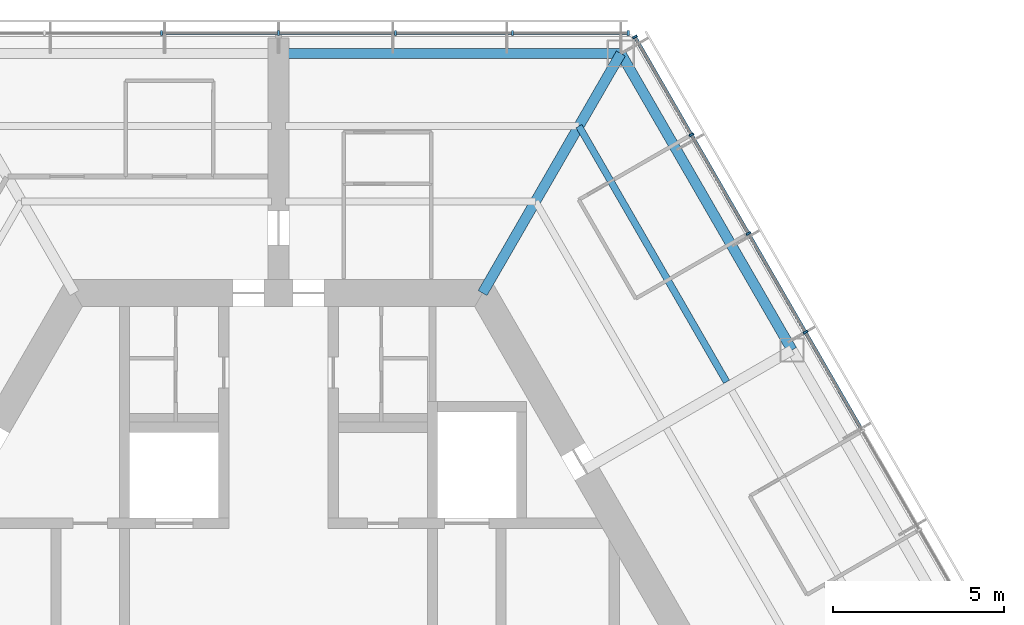
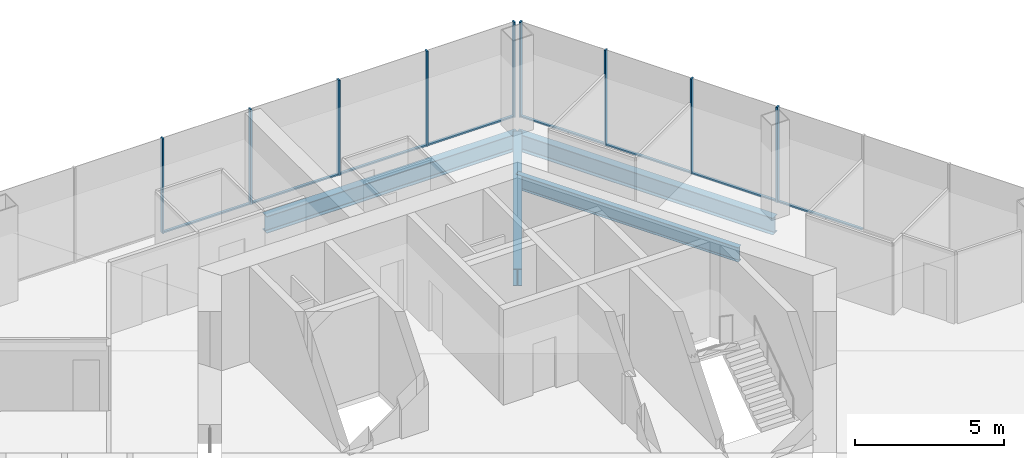
# One storey, part 7 of 16: 17 members, 4 beams, 2 elements without a shape of their own.
"""IFC4 building model written with IfcOpenShell, lengths in metres."""

from ifc_helpers import new_model, si_unit, direction, frame, origin, origin_2d, place, context, subcontext, project, spatial, rectangle, i_section, extrude, material, material_profile, profile_set, type_object, element, aggregate, save


model = new_model("IFC4")

# Units and contexts
model_context = context("Model", 3, precision=1e-05, world=origin(), true_north=direction((0.0, 1.0)))
body_context = subcontext(model_context, "Body", "Model", "MODEL_VIEW")
ifc_project = project(units=[si_unit("LENGTHUNIT", "METRE"), si_unit("AREAUNIT", "SQUARE_METRE"), si_unit("VOLUMEUNIT", "CUBIC_METRE"), si_unit("PLANEANGLEUNIT", "RADIAN"), si_unit("MASSUNIT", "GRAM", prefix="KILO")], contexts=[model_context])

# Site, building, storey
site_placement = place(None, origin())
site = spatial("IfcSite", under=ifc_project, at=site_placement, CompositionType="ELEMENT")
building_placement = place(site_placement, origin())
building = spatial("IfcBuilding", under=site, at=building_placement, Name="Kasaneha Research Tower", CompositionType="ELEMENT")
storey_placement = place(building_placement, frame((0.0, 0.0, 251.800048828125)))
storey = spatial("IfcBuildingStorey", under=building, at=storey_placement, Name="L63", CompositionType="ELEMENT", Elevation=251.800048828125)

# Beam
ifc_material_1 = material(Name="Steel SN490B", Category="steel")
ifc_material_profile_1 = material_profile(ifc_material_1, i_section(OverallWidth=0.199951171875, OverallDepth=0.60009765625, WebThickness=0.010986328125, FlangeThickness=0.01708984375, FilletRadius=0.012939453125, at=origin_2d()), Name="H-600x200x11x17")
ifc_profile_set_1 = profile_set([ifc_material_profile_1], Name="Steel SN490B")
beam_type_1 = type_object("IfcBeamType", Name="B1-3 secondary beam H-600x200x11x17", PredefinedType="JOIST", material=ifc_profile_set_1)
beam_1_placement = place(storey_placement, frame((8.775634765625, 15.199951171875, -0.449951171875), z_axis=(0.500017275495, -0.866015429543, 0.0), x_axis=(0.866015429543, 0.500017275495, 0.0)))
element("IfcBeam", 1, at=beam_1_placement, inside=storey, type_object=beam_type_1, Name="Secondary beam RS030R2 L63", PredefinedType="JOIST", context=body_context, shape_type="SweptSolid", body=[
    extrude(i_section(OverallWidth=0.199951171875, OverallDepth=0.60009765625, WebThickness=0.010986328125, FlangeThickness=0.01708984375, FilletRadius=0.012939453125, at=origin_2d()), origin(), (0.0, 0.0, 1.0), 8.625732421875),
])

# Curtain wall, members
ifc_material_2 = material(Name="Glass and aluminium", Category="aluminium")
curtain_wall_type = type_object("IfcCurtainWallType", Name="High-rise office curtain wall", PredefinedType="USERDEFINED", material=ifc_material_2)
curtain_wall_1_placement = place(storey_placement, origin())
curtain_wall_1 = element("IfcCurtainWall", 2, at=curtain_wall_1_placement, inside=storey, type_object=curtain_wall_type, Name="CW-O3 L63 run 01a", ObjectType="UNITISED CURTAIN WALL", PredefinedType="USERDEFINED")
ifc_material_3 = material(Name="Aluminium 6063-T6", Category="aluminium")
ifc_material_profile_2 = material_profile(ifc_material_3, rectangle(XDim=0.06005859375, YDim=0.139892578125, at=origin_2d()), Name="CW-O3 mullion 60x140")
ifc_profile_set_2 = profile_set([ifc_material_profile_2], Name="Aluminium 6063-T6")
member_type_1 = type_object("IfcMemberType", Name="CW-O3 mullion", PredefinedType="MULLION", material=ifc_profile_set_2)
member_1_placement = place(storey_placement, frame((15.392822265625, 9.179931640625, 0.0), z_axis=(0.0, 0.0, 1.0), x_axis=(-0.499999979232, 0.866025415775, 0.0)))
member_1 = element("IfcMember", 3, at=member_1_placement, type_object=member_type_1, Name="CW-O3 mullion 4", PredefinedType="MULLION", context=body_context, shape_type="SweptSolid", body=[
    extrude(rectangle(XDim=0.06005859375, YDim=0.139892578125, at=origin_2d()), origin(), (0.0, 0.0, 1.0), 3.89990234375),
])
member_2_placement = place(storey_placement, frame((13.727294921875, 12.064453125, 0.0), z_axis=(0.0, 0.0, 1.0), x_axis=(-0.499999979232, 0.866025415775, 0.0)))
member_2 = element("IfcMember", 4, at=member_2_placement, type_object=member_type_1, Name="CW-O3 mullion 5", PredefinedType="MULLION", context=body_context, shape_type="SweptSolid", body=[
    extrude(rectangle(XDim=0.06005859375, YDim=0.139892578125, at=origin_2d()), origin(), (0.0, 0.0, 1.0), 3.89990234375),
])
member_3_placement = place(storey_placement, frame((12.061767578125, 14.94921875, 0.0), z_axis=(0.0, 0.0, 1.0), x_axis=(-0.499999979232, 0.866025415775, 0.0)))
member_3 = element("IfcMember", 5, at=member_3_placement, type_object=member_type_1, Name="CW-O3 mullion 6", PredefinedType="MULLION", context=body_context, shape_type="SweptSolid", body=[
    extrude(rectangle(XDim=0.06005859375, YDim=0.139892578125, at=origin_2d()), origin(), (0.0, 0.0, 1.0), 3.89990234375),
])
member_4_placement = place(storey_placement, frame((10.411376953125, 17.807861328125, 0.0), z_axis=(0.0, 0.0, 1.0), x_axis=(-0.499999979232, 0.866025415775, 0.0)))
member_4 = element("IfcMember", 6, at=member_4_placement, type_object=member_type_1, Name="CW-O3 mullion 7", PredefinedType="MULLION", context=body_context, shape_type="SweptSolid", body=[
    extrude(rectangle(XDim=0.06005859375, YDim=0.139892578125, at=origin_2d()), origin(), (0.0, 0.0, 1.0), 3.89990234375),
])

curtain_wall_2_placement = place(storey_placement, origin())
curtain_wall_2 = element("IfcCurtainWall", 7, at=curtain_wall_2_placement, inside=storey, type_object=curtain_wall_type, Name="CW-O3 L63 run 02a", ObjectType="UNITISED CURTAIN WALL", PredefinedType="USERDEFINED")
member_5_placement = place(storey_placement, frame((10.21630859375, 17.92041015625, 0.0), z_axis=(0.0, 0.0, 1.0), x_axis=(-1.0, 0.0, 0.0)))
member_5 = element("IfcMember", 8, at=member_5_placement, type_object=member_type_1, Name="CW-O3 mullion 1", PredefinedType="MULLION", context=body_context, shape_type="SweptSolid", body=[
    extrude(rectangle(XDim=0.06005859375, YDim=0.139892578125, at=origin_2d()), origin(), (0.0, 0.0, 1.0), 3.89990234375),
])
member_6_placement = place(storey_placement, frame((6.8310546875, 17.92041015625, 0.0), z_axis=(0.0, 0.0, 1.0), x_axis=(-1.0, 0.0, 0.0)))
member_6 = element("IfcMember", 9, at=member_6_placement, type_object=member_type_1, Name="CW-O3 mullion 2", PredefinedType="MULLION", context=body_context, shape_type="SweptSolid", body=[
    extrude(rectangle(XDim=0.06005859375, YDim=0.139892578125, at=origin_2d()), origin(), (0.0, 0.0, 1.0), 3.89990234375),
])
member_7_placement = place(storey_placement, frame((3.41552734375, 17.92041015625, 0.0), z_axis=(0.0, 0.0, 1.0), x_axis=(-1.0, 0.0, 0.0)))
member_7 = element("IfcMember", 10, at=member_7_placement, type_object=member_type_1, Name="CW-O3 mullion 3", PredefinedType="MULLION", context=body_context, shape_type="SweptSolid", body=[
    extrude(rectangle(XDim=0.06005859375, YDim=0.139892578125, at=origin_2d()), origin(), (0.0, 0.0, 1.0), 3.89990234375),
])
member_8_placement = place(storey_placement, frame((0.0, 17.92041015625, 0.0), z_axis=(0.0, 0.0, 1.0), x_axis=(-1.0, 0.0, 0.0)))
member_8 = element("IfcMember", 11, at=member_8_placement, type_object=member_type_1, Name="CW-O3 mullion 4", PredefinedType="MULLION", context=body_context, shape_type="SweptSolid", body=[
    extrude(rectangle(XDim=0.06005859375, YDim=0.139892578125, at=origin_2d()), origin(), (0.0, 0.0, 1.0), 3.89990234375),
])
member_9_placement = place(storey_placement, frame((-3.41552734375, 17.92041015625, 0.0), z_axis=(0.0, 0.0, 1.0), x_axis=(-1.0, 0.0, 0.0)))
member_9 = element("IfcMember", 12, at=member_9_placement, type_object=member_type_1, Name="CW-O3 mullion 5", PredefinedType="MULLION", context=body_context, shape_type="SweptSolid", body=[
    extrude(rectangle(XDim=0.06005859375, YDim=0.139892578125, at=origin_2d()), origin(), (0.0, 0.0, 1.0), 3.89990234375),
])

# Member
ifc_material_4 = material(Name="Aluminium 6063-T6", Category="aluminium")
ifc_material_profile_3 = material_profile(ifc_material_4, rectangle(XDim=0.10009765625, YDim=0.06005859375, at=origin_2d()), Name="CW-O3 transom 100x60")
ifc_profile_set_3 = profile_set([ifc_material_profile_3], Name="Aluminium 6063-T6")
member_type_2 = type_object("IfcMemberType", Name="CW-O3 transom", PredefinedType="USERDEFINED", material=ifc_profile_set_3)
member_10_placement = place(storey_placement, frame((17.043212890625, 6.3212890625, 0.030029296875), z_axis=(-0.50003259116, 0.866006586452, 0.0), x_axis=(-0.866006586452, -0.50003259116, 0.0)))
member_10 = element("IfcMember", 13, at=member_10_placement, type_object=member_type_2, Name="CW-O3 transom 3", ObjectType="TRANSOM", PredefinedType="USERDEFINED", context=body_context, shape_type="SweptSolid", body=[
    extrude(rectangle(XDim=0.10009765625, YDim=0.06005859375, at=origin_2d()), origin(), (0.0, 0.0, 1.0), 3.270751953125),
])

member_11_placement = place(storey_placement, frame((15.3779296875, 9.205810546875, 0.030029296875), z_axis=(-0.500000270186, 0.866025247793, 0.0), x_axis=(-0.866025247793, -0.500000270186, 0.0)))
member_11 = element("IfcMember", 14, at=member_11_placement, type_object=member_type_2, Name="CW-O3 transom 4", ObjectType="TRANSOM", PredefinedType="USERDEFINED", context=body_context, shape_type="SweptSolid", body=[
    extrude(rectangle(XDim=0.10009765625, YDim=0.06005859375, at=origin_2d()), origin(), (0.0, 0.0, 1.0), 3.27099609375),
])

member_12_placement = place(storey_placement, frame((13.71240234375, 12.090576171875, 0.030029296875), z_axis=(-0.500000270186, 0.866025247793, 0.0), x_axis=(-0.866025247793, -0.500000270186, 0.0)))
member_12 = element("IfcMember", 15, at=member_12_placement, type_object=member_type_2, Name="CW-O3 transom 5", ObjectType="TRANSOM", PredefinedType="USERDEFINED", context=body_context, shape_type="SweptSolid", body=[
    extrude(rectangle(XDim=0.10009765625, YDim=0.06005859375, at=origin_2d()), origin(), (0.0, 0.0, 1.0), 3.27099609375),
])

member_13_placement = place(storey_placement, frame((12.046875, 14.97509765625, 0.030029296875), z_axis=(-0.499955025697, 0.866051368154, 0.0), x_axis=(-0.866051368154, -0.499955025697, 0.0)))
member_13 = element("IfcMember", 16, at=member_13_placement, type_object=member_type_2, Name="CW-O3 transom 6", ObjectType="TRANSOM", PredefinedType="USERDEFINED", context=body_context, shape_type="SweptSolid", body=[
    extrude(rectangle(XDim=0.10009765625, YDim=0.06005859375, at=origin_2d()), origin(), (0.0, 0.0, 1.0), 3.240966796875),
])

aggregate(curtain_wall_1, [member_1, member_2, member_3, member_4, member_10, member_11, member_12, member_13])

member_14_placement = place(storey_placement, frame((10.1865234375, 17.92041015625, 0.030029296875), z_axis=(-1.0, 0.0, 0.0), x_axis=(0.0, -1.0, 0.0)))
member_14 = element("IfcMember", 17, at=member_14_placement, type_object=member_type_2, Name="CW-O3 transom 1", ObjectType="TRANSOM", PredefinedType="USERDEFINED", context=body_context, shape_type="SweptSolid", body=[
    extrude(rectangle(XDim=0.10009765625, YDim=0.06005859375, at=origin_2d()), origin(), (0.0, 0.0, 1.0), 3.32568359375),
])

member_15_placement = place(storey_placement, frame((6.801025390625, 17.92041015625, 0.030029296875), z_axis=(-1.0, 0.0, 0.0), x_axis=(0.0, -1.0, 0.0)))
member_15 = element("IfcMember", 18, at=member_15_placement, type_object=member_type_2, Name="CW-O3 transom 2", ObjectType="TRANSOM", PredefinedType="USERDEFINED", context=body_context, shape_type="SweptSolid", body=[
    extrude(rectangle(XDim=0.10009765625, YDim=0.06005859375, at=origin_2d()), origin(), (0.0, 0.0, 1.0), 3.35546875),
])

member_16_placement = place(storey_placement, frame((3.385498046875, 17.92041015625, 0.030029296875), z_axis=(-1.0, 0.0, 0.0), x_axis=(0.0, -1.0, 0.0)))
member_16 = element("IfcMember", 19, at=member_16_placement, type_object=member_type_2, Name="CW-O3 transom 3", ObjectType="TRANSOM", PredefinedType="USERDEFINED", context=body_context, shape_type="SweptSolid", body=[
    extrude(rectangle(XDim=0.10009765625, YDim=0.06005859375, at=origin_2d()), origin(), (0.0, 0.0, 1.0), 3.35546875),
])

member_17_placement = place(storey_placement, frame((-0.030029296875, 17.92041015625, 0.030029296875), z_axis=(-1.0, 0.0, 0.0), x_axis=(0.0, -1.0, 0.0)))
member_17 = element("IfcMember", 20, at=member_17_placement, type_object=member_type_2, Name="CW-O3 transom 4", ObjectType="TRANSOM", PredefinedType="USERDEFINED", context=body_context, shape_type="SweptSolid", body=[
    extrude(rectangle(XDim=0.10009765625, YDim=0.06005859375, at=origin_2d()), origin(), (0.0, 0.0, 1.0), 3.35546875),
])

aggregate(curtain_wall_2, [member_5, member_6, member_7, member_8, member_9, member_14, member_15, member_16, member_17])

# Beams
ifc_material_5 = material(Name="Steel SN490B", Category="steel")
ifc_material_profile_4 = material_profile(ifc_material_5, i_section(OverallWidth=0.300048828125, OverallDepth=0.699951171875, WebThickness=0.012939453125, FlangeThickness=0.02392578125, FilletRadius=0.01806640625, at=origin_2d()), Name="H-700x300x13x24")
ifc_profile_set_4 = profile_set([ifc_material_profile_4], Name="Steel SN490B")
beam_type_2 = type_object("IfcBeamType", Name="G1-3 radial girder H-700x300x13x24", PredefinedType="BEAM", material=ifc_profile_set_4)
beam_2_placement = place(storey_placement, frame((5.961181640625, 10.324951171875, -0.5), z_axis=(0.49999105496, 0.866030568144, 0.0), x_axis=(-0.866030568144, 0.49999105496, 0.0)))
element("IfcBeam", 21, at=beam_2_placement, inside=storey, type_object=beam_type_2, Name="Radial girder RV060 L63", PredefinedType="BEAM", context=body_context, shape_type="SweptSolid", body=[
    extrude(i_section(OverallWidth=0.300048828125, OverallDepth=0.699951171875, WebThickness=0.012939453125, FlangeThickness=0.02392578125, FilletRadius=0.01806640625, at=origin_2d()), origin(), (0.0, 0.0, 1.0), 8.077880859375),
])
ifc_material_6 = material(Name="Steel SN490B", Category="steel")
ifc_material_profile_5 = material_profile(ifc_material_6, i_section(OverallWidth=0.300048828125, OverallDepth=0.69189453125, WebThickness=0.012939453125, FlangeThickness=0.02001953125, FilletRadius=0.01806640625, at=origin_2d()), Name="H-692x300x13x20")
ifc_profile_set_5 = profile_set([ifc_material_profile_5], Name="Steel SN490B")
beam_type_3 = type_object("IfcBeamType", Name="G3-3 plate edge girder H-692x300x13x20", PredefinedType="BEAM", material=ifc_profile_set_5)
beam_3_placement = place(storey_placement, frame((10.0, 17.320556640625, -0.49609375), z_axis=(-1.0, 0.0, 0.0), x_axis=(0.0, -1.0, 0.0)))
element("IfcBeam", 22, at=beam_3_placement, inside=storey, type_object=beam_type_3, Name="Plate edge girder PEAP L63", PredefinedType="BEAM", context=body_context, shape_type="SweptSolid", body=[
    extrude(i_section(OverallWidth=0.300048828125, OverallDepth=0.69189453125, WebThickness=0.012939453125, FlangeThickness=0.02001953125, FilletRadius=0.01806640625, at=origin_2d()), origin(), (0.0, 0.0, 1.0), 9.800048828125),
])
ifc_material_7 = material(Name="Steel SN490B", Category="steel")
ifc_material_profile_6 = material_profile(ifc_material_7, i_section(OverallWidth=0.300048828125, OverallDepth=0.69189453125, WebThickness=0.012939453125, FlangeThickness=0.02001953125, FilletRadius=0.01806640625, at=origin_2d()), Name="H-692x300x13x20")
ifc_profile_set_6 = profile_set([ifc_material_profile_6], Name="Steel SN490B")
beam_type_4 = type_object("IfcBeamType", Name="SB1-3 spandrel beam H-692x300x13x20", PredefinedType="SPANDREL", material=ifc_profile_set_6)
beam_4_placement = place(storey_placement, frame((10.0, 17.320556640625, -0.49609375), z_axis=(0.499993662806, -0.866029062534, 0.0), x_axis=(0.866029062534, 0.499993662806, 0.0)))
element("IfcBeam", 23, at=beam_4_placement, inside=storey, type_object=beam_type_4, Name="Spandrel beam SR030R L63", PredefinedType="SPANDREL", context=body_context, shape_type="SweptSolid", body=[
    extrude(i_section(OverallWidth=0.300048828125, OverallDepth=0.69189453125, WebThickness=0.012939453125, FlangeThickness=0.02001953125, FilletRadius=0.01806640625, at=origin_2d()), origin(), (0.0, 0.0, 1.0), 10.000244140625),
])

save(model, "model.ifc")
